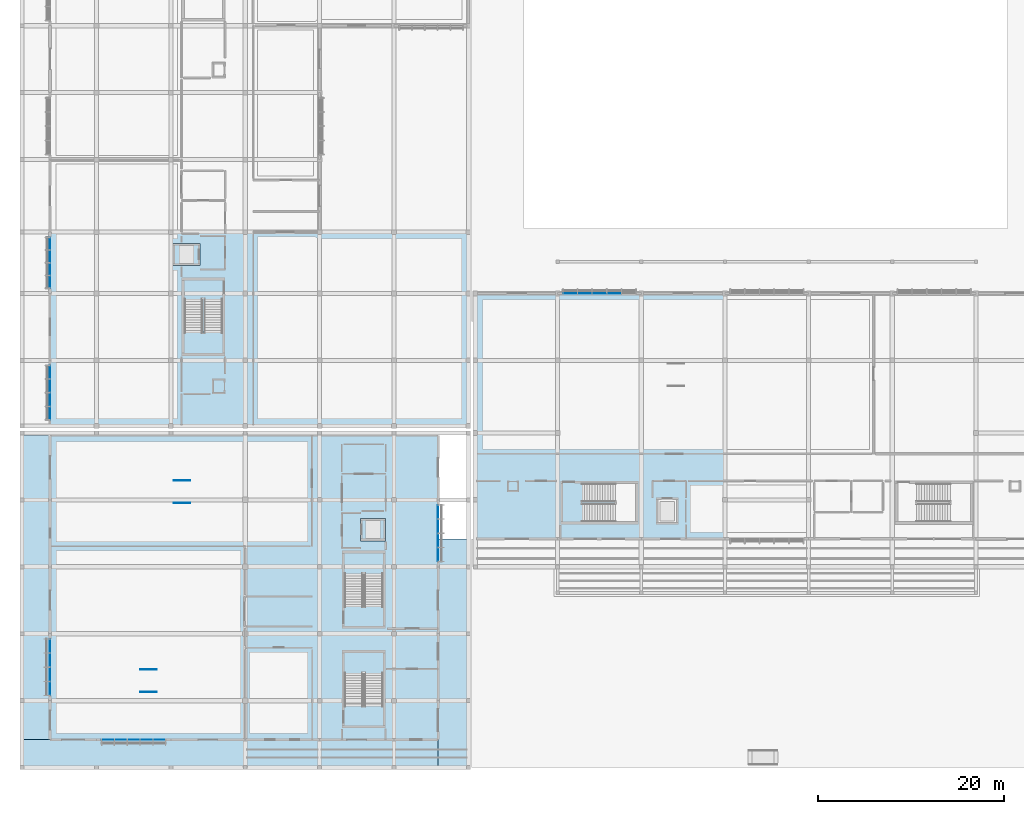
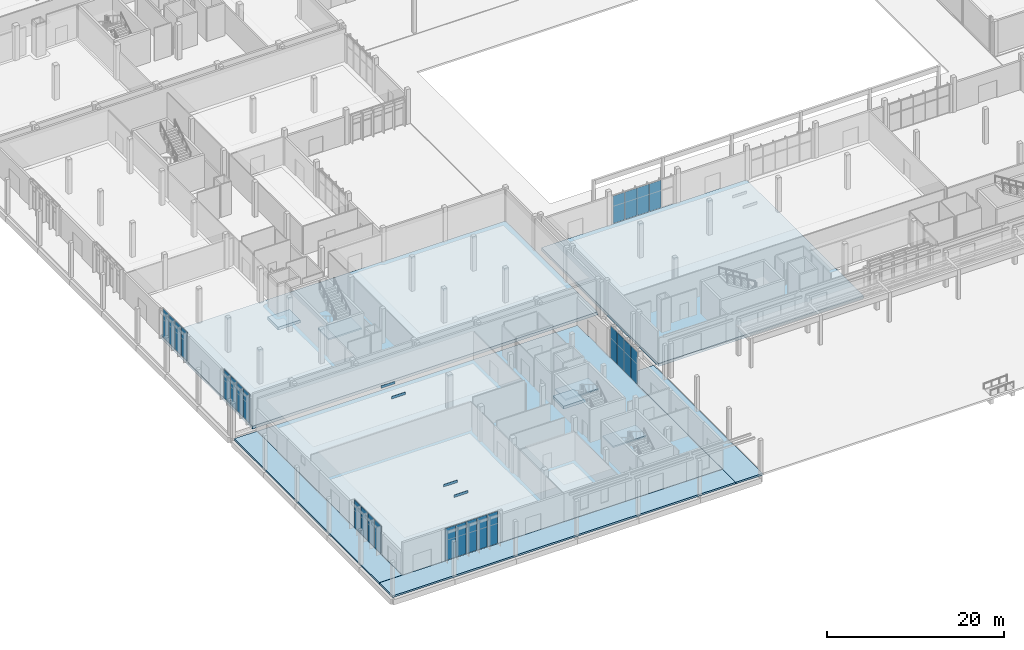
# One storey, part 106 of 151: 29 plates, 11 slabs, 9 elements without a shape of their own.
"""IFC4 building model written with IfcOpenShell, lengths in metres."""

from ifc_helpers import new_model, si_unit, direction, frame, origin, origin_2d, place, context, subcontext, project, spatial, polyline, rectangle, outline, extrude, material, layer, layer_set, type_object, element, aggregate, save


model = new_model("IFC4")

# Units and contexts
model_context = context("Model", 3, precision=1e-05, world=origin(), true_north=direction((0.0, 1.0)))
body_context = subcontext(model_context, "Body", "Model", "MODEL_VIEW")
ifc_project = project(units=[si_unit("LENGTHUNIT", "METRE"), si_unit("AREAUNIT", "SQUARE_METRE"), si_unit("VOLUMEUNIT", "CUBIC_METRE"), si_unit("PLANEANGLEUNIT", "RADIAN"), si_unit("MASSUNIT", "GRAM", prefix="KILO")], contexts=[model_context])

# Site, building, storey
site_placement = place(None, origin())
site = spatial("IfcSite", under=ifc_project, at=site_placement, CompositionType="ELEMENT")
building_placement = place(site_placement, origin())
building = spatial("IfcBuilding", under=site, at=building_placement, Name="Chiffa Square Polytechnic", CompositionType="ELEMENT")
storey_placement = place(building_placement, origin())
storey = spatial("IfcBuildingStorey", under=building, at=storey_placement, Name="L00", CompositionType="ELEMENT", Elevation=0.0)

# Curtain wall, plates
ifc_material_1 = material(Name="Aluminium EN AW-6060 T66 and glulam shading", Category="wood")
curtain_wall_type_1 = type_object("IfcCurtainWallType", Name="CW-VERT-450X440", PredefinedType="USERDEFINED", material=ifc_material_1)
curtain_wall_1_placement = place(storey_placement, origin())
curtain_wall_1 = element("IfcCurtainWall", 1, at=curtain_wall_1_placement, inside=storey, type_object=curtain_wall_type_1, Name="Curtain wall CW-V3-L00-152", ObjectType="CURTAIN WALL", PredefinedType="USERDEFINED")
ifc_material_2 = material(Name="Double glazing", Category="glass")
ifc_layer_1 = layer(ifc_material_2, 0.035888671875, Name="Double glazing")
ifc_layer_set_1 = layer_set([ifc_layer_1], Name="Double glazing")
plate_type_1 = type_object("IfcPlateType", Name="CWP-GLZ-120X145", PredefinedType="CURTAIN_PANEL", material=ifc_layer_set_1)
plate_1_placement = place(storey_placement, frame((3.0, 13.083984375, 0.04931640625), z_axis=(0.0, 0.0, 1.0), x_axis=(0.0, -1.0, 0.0)))
plate_1 = element("IfcPlate", 2, at=plate_1_placement, type_object=plate_type_1, Name="Glazed curtain panel CW-V3-L00-152-PN01", PredefinedType="CURTAIN_PANEL", context=body_context, shape_type="SweptSolid", body=[
    extrude(rectangle(XDim=1.4560546875, YDim=0.035888671875, at=origin_2d()), origin(), (0.0, 0.0, 1.0), 3.844970703125),
])
plate_2_placement = place(storey_placement, frame((3.0, 11.56494140625, 0.04931640625), z_axis=(0.0, 0.0, 1.0), x_axis=(0.0, -1.0, 0.0)))
plate_2 = element("IfcPlate", 3, at=plate_2_placement, type_object=plate_type_1, Name="Glazed curtain panel CW-V3-L00-152-PN02", PredefinedType="CURTAIN_PANEL", context=body_context, shape_type="SweptSolid", body=[
    extrude(rectangle(XDim=1.47802734375, YDim=0.035888671875, at=origin_2d()), origin(), (0.0, 0.0, 1.0), 3.844970703125),
])
plate_3_placement = place(storey_placement, frame((3.0, 10.034912109375, 0.04931640625), z_axis=(0.0, 0.0, 1.0), x_axis=(0.0, -1.0, 0.0)))
plate_3 = element("IfcPlate", 4, at=plate_3_placement, type_object=plate_type_1, Name="Glazed curtain panel CW-V3-L00-152-PN03", PredefinedType="CURTAIN_PANEL", context=body_context, shape_type="SweptSolid", body=[
    extrude(rectangle(XDim=1.47802734375, YDim=0.035888671875, at=origin_2d()), origin(), (0.0, 0.0, 1.0), 3.844970703125),
])
plate_4_placement = place(storey_placement, frame((3.0, 8.51611328125, 0.04931640625), z_axis=(0.0, 0.0, 1.0), x_axis=(0.0, -1.0, 0.0)))
plate_4 = element("IfcPlate", 5, at=plate_4_placement, type_object=plate_type_1, Name="Glazed curtain panel CW-V3-L00-152-PN04", PredefinedType="CURTAIN_PANEL", context=body_context, shape_type="SweptSolid", body=[
    extrude(rectangle(XDim=1.4560546875, YDim=0.035888671875, at=origin_2d()), origin(), (0.0, 0.0, 1.0), 3.844970703125),
])
aggregate(curtain_wall_1, [plate_1, plate_2, plate_3, plate_4])

curtain_wall_type_2 = type_object("IfcCurtainWallType", Name="CW-VERT-480X380", PredefinedType="USERDEFINED", material=ifc_material_1)
curtain_wall_2_placement = place(storey_placement, origin())
curtain_wall_2 = element("IfcCurtainWall", 6, at=curtain_wall_2_placement, inside=storey, type_object=curtain_wall_type_2, Name="Curtain wall CW-V6-L00-254", ObjectType="CURTAIN WALL", PredefinedType="USERDEFINED")
ifc_layer_2 = layer(ifc_material_2, 0.0400390625, Name="Double glazing")
ifc_layer_set_2 = layer_set([ifc_layer_2], Name="Double glazing")
plate_type_2 = type_object("IfcPlateType", Name="CWP-GLZ-144X134", PredefinedType="CURTAIN_PANEL", material=ifc_layer_set_2)
plate_5_placement = place(storey_placement, frame((3.0, 42.514892578125, 0.05029296875), z_axis=(0.0, 0.0, 1.0), x_axis=(0.0, -1.0, 0.0)))
plate_5 = element("IfcPlate", 7, at=plate_5_placement, type_object=plate_type_2, Name="Glazed curtain panel CW-V6-L00-254-PN01", PredefinedType="CURTAIN_PANEL", context=body_context, shape_type="SweptSolid", body=[
    extrude(rectangle(XDim=1.39306640625, YDim=0.0400390625, at=origin_2d()), origin(), (0.0, 0.0, 1.0), 3.965087890625),
])
plate_6_placement = place(storey_placement, frame((3.0, 41.05908203125, 0.05029296875), z_axis=(0.0, 0.0, 1.0), x_axis=(0.0, -1.0, 0.0)))
plate_6 = element("IfcPlate", 8, at=plate_6_placement, type_object=plate_type_2, Name="Glazed curtain panel CW-V6-L00-254-PN02", PredefinedType="CURTAIN_PANEL", context=body_context, shape_type="SweptSolid", body=[
    extrude(rectangle(XDim=1.4150390625, YDim=0.0400390625, at=origin_2d()), origin(), (0.0, 0.0, 1.0), 3.965087890625),
])
plate_7_placement = place(storey_placement, frame((3.0, 39.591064453125, 0.05029296875), z_axis=(0.0, 0.0, 1.0), x_axis=(0.0, -1.0, 0.0)))
plate_7 = element("IfcPlate", 9, at=plate_7_placement, type_object=plate_type_2, Name="Glazed curtain panel CW-V6-L00-254-PN03", PredefinedType="CURTAIN_PANEL", context=body_context, shape_type="SweptSolid", body=[
    extrude(rectangle(XDim=1.4150390625, YDim=0.0400390625, at=origin_2d()), origin(), (0.0, 0.0, 1.0), 3.965087890625),
])
plate_8_placement = place(storey_placement, frame((3.0, 38.135009765625, 0.05029296875), z_axis=(0.0, 0.0, 1.0), x_axis=(0.0, -1.0, 0.0)))
plate_8 = element("IfcPlate", 10, at=plate_8_placement, type_object=plate_type_2, Name="Glazed curtain panel CW-V6-L00-254-PN04", PredefinedType="CURTAIN_PANEL", context=body_context, shape_type="SweptSolid", body=[
    extrude(rectangle(XDim=1.39306640625, YDim=0.0400390625, at=origin_2d()), origin(), (0.0, 0.0, 1.0), 3.965087890625),
])
aggregate(curtain_wall_2, [plate_5, plate_6, plate_7, plate_8])

curtain_wall_type_3 = type_object("IfcCurtainWallType", Name="CW-VERT-360X380", PredefinedType="USERDEFINED", material=ifc_material_1)
curtain_wall_3_placement = place(storey_placement, origin())
curtain_wall_3 = element("IfcCurtainWall", 11, at=curtain_wall_3_placement, inside=storey, type_object=curtain_wall_type_3, Name="Curtain wall CW-V6-L00-253", ObjectType="CURTAIN WALL", PredefinedType="USERDEFINED")
ifc_layer_3 = layer(ifc_material_2, 0.0380859375, Name="Double glazing")
ifc_layer_set_3 = layer_set([ifc_layer_3], Name="Double glazing")
plate_type_3 = type_object("IfcPlateType", Name="CWP-GLZ-146X138", PredefinedType="CURTAIN_PANEL", material=ifc_layer_set_3)
plate_9_placement = place(storey_placement, frame((3.0, 56.35888671875, 0.05029296875), z_axis=(0.0, 0.0, 1.0), x_axis=(0.0, -1.0, 0.0)))
plate_9 = element("IfcPlate", 12, at=plate_9_placement, type_object=plate_type_3, Name="Glazed curtain panel CW-V6-L00-253-PN01", PredefinedType="CURTAIN_PANEL", context=body_context, shape_type="SweptSolid", body=[
    extrude(rectangle(XDim=1.305908203125, YDim=0.0380859375, at=origin_2d()), origin(), (0.0, 0.0, 1.0), 3.965087890625),
])
plate_10_placement = place(storey_placement, frame((3.0, 54.989990234375, 0.05029296875), z_axis=(0.0, 0.0, 1.0), x_axis=(0.0, -1.0, 0.0)))
plate_10 = element("IfcPlate", 13, at=plate_10_placement, type_object=plate_type_3, Name="Glazed curtain panel CW-V6-L00-253-PN02", PredefinedType="CURTAIN_PANEL", context=body_context, shape_type="SweptSolid", body=[
    extrude(rectangle(XDim=1.327880859375, YDim=0.0380859375, at=origin_2d()), origin(), (0.0, 0.0, 1.0), 3.965087890625),
])
plate_11_placement = place(storey_placement, frame((3.0, 53.610107421875, 0.05029296875), z_axis=(0.0, 0.0, 1.0), x_axis=(0.0, -1.0, 0.0)))
plate_11 = element("IfcPlate", 14, at=plate_11_placement, type_object=plate_type_3, Name="Glazed curtain panel CW-V6-L00-253-PN03", PredefinedType="CURTAIN_PANEL", context=body_context, shape_type="SweptSolid", body=[
    extrude(rectangle(XDim=1.327880859375, YDim=0.0380859375, at=origin_2d()), origin(), (0.0, 0.0, 1.0), 3.965087890625),
])
plate_12_placement = place(storey_placement, frame((3.0, 52.240966796875, 0.05029296875), z_axis=(0.0, 0.0, 1.0), x_axis=(0.0, -1.0, 0.0)))
plate_12 = element("IfcPlate", 15, at=plate_12_placement, type_object=plate_type_3, Name="Glazed curtain panel CW-V6-L00-253-PN04", PredefinedType="CURTAIN_PANEL", context=body_context, shape_type="SweptSolid", body=[
    extrude(rectangle(XDim=1.305908203125, YDim=0.0380859375, at=origin_2d()), origin(), (0.0, 0.0, 1.0), 3.965087890625),
])
aggregate(curtain_wall_3, [plate_9, plate_10, plate_11, plate_12])

curtain_wall_4_placement = place(storey_placement, origin())
curtain_wall_4 = element("IfcCurtainWall", 16, at=curtain_wall_4_placement, inside=storey, type_object=curtain_wall_type_2, Name="Curtain wall CW-V4-L00-182", ObjectType="CURTAIN WALL", PredefinedType="USERDEFINED")
ifc_layer_4 = layer(ifc_material_2, 0.0380859375, Name="Double glazing")
ifc_layer_set_4 = layer_set([ifc_layer_4], Name="Double glazing")
plate_type_4 = type_object("IfcPlateType", Name="CWP-GLZ-148X142", PredefinedType="CURTAIN_PANEL", material=ifc_layer_set_4)
plate_13_placement = place(storey_placement, frame((63.68408203125, 51.0, 0.04931640625), z_axis=(0.0, 0.0, 1.0), x_axis=(-1.0, 0.0, 0.0)))
plate_13 = element("IfcPlate", 17, at=plate_13_placement, type_object=plate_type_4, Name="Glazed curtain panel CW-V4-L00-182-PN02", PredefinedType="CURTAIN_PANEL", context=body_context, shape_type="SweptSolid", body=[
    extrude(rectangle(XDim=1.531982421875, YDim=0.0380859375, at=origin_2d()), origin(), (0.0, 0.0, 1.0), 3.804931640625),
])
plate_14_placement = place(storey_placement, frame((62.10009765625, 51.0, 0.04931640625), z_axis=(0.0, 0.0, 1.0), x_axis=(-1.0, 0.0, 0.0)))
plate_14 = element("IfcPlate", 18, at=plate_14_placement, type_object=plate_type_4, Name="Glazed curtain panel CW-V4-L00-182-PN03", PredefinedType="CURTAIN_PANEL", context=body_context, shape_type="SweptSolid", body=[
    extrude(rectangle(XDim=1.531982421875, YDim=0.0380859375, at=origin_2d()), origin(), (0.0, 0.0, 1.0), 3.804931640625),
])
plate_15_placement = place(storey_placement, frame((60.51611328125, 51.0, 0.04931640625), z_axis=(0.0, 0.0, 1.0), x_axis=(-1.0, 0.0, 0.0)))
plate_15 = element("IfcPlate", 19, at=plate_15_placement, type_object=plate_type_4, Name="Glazed curtain panel CW-V4-L00-182-PN04", PredefinedType="CURTAIN_PANEL", context=body_context, shape_type="SweptSolid", body=[
    extrude(rectangle(XDim=1.531982421875, YDim=0.0380859375, at=origin_2d()), origin(), (0.0, 0.0, 1.0), 3.804931640625),
])
plate_16_placement = place(storey_placement, frame((58.943115234375, 51.0, 0.04931640625), z_axis=(0.0, 0.0, 1.0), x_axis=(-1.0, 0.0, 0.0)))
plate_16 = element("IfcPlate", 20, at=plate_16_placement, type_object=plate_type_4, Name="Glazed curtain panel CW-V4-L00-182-PN05", PredefinedType="CURTAIN_PANEL", context=body_context, shape_type="SweptSolid", body=[
    extrude(rectangle(XDim=1.510009765625, YDim=0.0380859375, at=origin_2d()), origin(), (0.0, 0.0, 1.0), 3.804931640625),
])
aggregate(curtain_wall_4, [plate_13, plate_14, plate_15, plate_16])

curtain_wall_type_4 = type_object("IfcCurtainWallType", Name="CW-VERT-540X440", PredefinedType="USERDEFINED", material=ifc_material_1)
curtain_wall_5_placement = place(storey_placement, origin())
curtain_wall_5 = element("IfcCurtainWall", 21, at=curtain_wall_5_placement, inside=storey, type_object=curtain_wall_type_4, Name="Curtain wall CW-V3-L00-151", ObjectType="CURTAIN WALL", PredefinedType="USERDEFINED")
ifc_layer_5 = layer(ifc_material_2, 0.035888671875, Name="Double glazing")
ifc_layer_set_5 = layer_set([ifc_layer_5], Name="Double glazing")
plate_type_5 = type_object("IfcPlateType", Name="CWP-GLZ-150X125", PredefinedType="CURTAIN_PANEL", material=ifc_layer_set_5)
plate_17_placement = place(storey_placement, frame((44.75, 22.916015625, 0.050048828125), z_axis=(0.0, 0.0, 1.0), x_axis=(0.0, 1.0, 0.0)))
plate_17 = element("IfcPlate", 22, at=plate_17_placement, type_object=plate_type_5, Name="Glazed curtain panel CW-V3-L00-151-PN01", PredefinedType="CURTAIN_PANEL", context=body_context, shape_type="SweptSolid", body=[
    extrude(rectangle(XDim=1.4560546875, YDim=0.035888671875, at=origin_2d()), origin(), (0.0, 0.0, 1.0), 4.419921875),
])
plate_18_placement = place(storey_placement, frame((44.75, 24.43505859375, 0.050048828125), z_axis=(0.0, 0.0, 1.0), x_axis=(0.0, 1.0, 0.0)))
plate_18 = element("IfcPlate", 23, at=plate_18_placement, type_object=plate_type_5, Name="Glazed curtain panel CW-V3-L00-151-PN02", PredefinedType="CURTAIN_PANEL", context=body_context, shape_type="SweptSolid", body=[
    extrude(rectangle(XDim=1.47802734375, YDim=0.035888671875, at=origin_2d()), origin(), (0.0, 0.0, 1.0), 4.419921875),
])
plate_19_placement = place(storey_placement, frame((44.75, 25.965087890625, 0.050048828125), z_axis=(0.0, 0.0, 1.0), x_axis=(0.0, 1.0, 0.0)))
plate_19 = element("IfcPlate", 24, at=plate_19_placement, type_object=plate_type_5, Name="Glazed curtain panel CW-V3-L00-151-PN03", PredefinedType="CURTAIN_PANEL", context=body_context, shape_type="SweptSolid", body=[
    extrude(rectangle(XDim=1.47802734375, YDim=0.035888671875, at=origin_2d()), origin(), (0.0, 0.0, 1.0), 4.419921875),
])
plate_20_placement = place(storey_placement, frame((44.75, 27.48388671875, 0.050048828125), z_axis=(0.0, 0.0, 1.0), x_axis=(0.0, 1.0, 0.0)))
plate_20 = element("IfcPlate", 25, at=plate_20_placement, type_object=plate_type_5, Name="Glazed curtain panel CW-V3-L00-151-PN04", PredefinedType="CURTAIN_PANEL", context=body_context, shape_type="SweptSolid", body=[
    extrude(rectangle(XDim=1.4560546875, YDim=0.035888671875, at=origin_2d()), origin(), (0.0, 0.0, 1.0), 4.419921875),
])
aggregate(curtain_wall_5, [plate_17, plate_18, plate_19, plate_20])

curtain_wall_6_placement = place(storey_placement, origin())
curtain_wall_6 = element("IfcCurtainWall", 26, at=curtain_wall_6_placement, inside=storey, type_object=curtain_wall_type_2, Name="Curtain wall CW-V3-L00-150", ObjectType="CURTAIN WALL", PredefinedType="USERDEFINED")
ifc_layer_6 = layer(ifc_material_2, 0.035888671875, Name="Double glazing")
ifc_layer_set_6 = layer_set([ifc_layer_6], Name="Double glazing")
plate_type_6 = type_object("IfcPlateType", Name="CWP-GLZ-150X145", PredefinedType="CURTAIN_PANEL", material=ifc_layer_set_6)
plate_21_placement = place(storey_placement, frame((9.242919921875, 3.0, 0.050048828125), z_axis=(0.0, 0.0, 1.0), x_axis=(1.0, 0.0, 0.0)))
plate_21 = element("IfcPlate", 27, at=plate_21_placement, type_object=plate_type_6, Name="Glazed curtain panel CW-V3-L00-150-PN01", PredefinedType="CURTAIN_PANEL", context=body_context, shape_type="SweptSolid", body=[
    extrude(rectangle(XDim=1.31005859375, YDim=0.035888671875, at=origin_2d()), origin(), (0.0, 0.0, 1.0), 4.419921875),
])
plate_22_placement = place(storey_placement, frame((10.615966796875, 3.0, 0.050048828125), z_axis=(0.0, 0.0, 1.0), x_axis=(1.0, 0.0, 0.0)))
plate_22 = element("IfcPlate", 28, at=plate_22_placement, type_object=plate_type_6, Name="Glazed curtain panel CW-V3-L00-150-PN02", PredefinedType="CURTAIN_PANEL", context=body_context, shape_type="SweptSolid", body=[
    extrude(rectangle(XDim=1.33203125, YDim=0.035888671875, at=origin_2d()), origin(), (0.0, 0.0, 1.0), 4.419921875),
])
plate_23_placement = place(storey_placement, frame((12.0, 3.0, 0.050048828125), z_axis=(0.0, 0.0, 1.0), x_axis=(1.0, 0.0, 0.0)))
plate_23 = element("IfcPlate", 29, at=plate_23_placement, type_object=plate_type_6, Name="Glazed curtain panel CW-V3-L00-150-PN03", PredefinedType="CURTAIN_PANEL", context=body_context, shape_type="SweptSolid", body=[
    extrude(rectangle(XDim=1.33203125, YDim=0.035888671875, at=origin_2d()), origin(), (0.0, 0.0, 1.0), 4.419921875),
])
plate_24_placement = place(storey_placement, frame((13.384033203125, 3.0, 0.050048828125), z_axis=(0.0, 0.0, 1.0), x_axis=(1.0, 0.0, 0.0)))
plate_24 = element("IfcPlate", 30, at=plate_24_placement, type_object=plate_type_6, Name="Glazed curtain panel CW-V3-L00-150-PN04", PredefinedType="CURTAIN_PANEL", context=body_context, shape_type="SweptSolid", body=[
    extrude(rectangle(XDim=1.33203125, YDim=0.035888671875, at=origin_2d()), origin(), (0.0, 0.0, 1.0), 4.419921875),
])
plate_25_placement = place(storey_placement, frame((14.757080078125, 3.0, 0.050048828125), z_axis=(0.0, 0.0, 1.0), x_axis=(1.0, 0.0, 0.0)))
plate_25 = element("IfcPlate", 31, at=plate_25_placement, type_object=plate_type_6, Name="Glazed curtain panel CW-V3-L00-150-PN05", PredefinedType="CURTAIN_PANEL", context=body_context, shape_type="SweptSolid", body=[
    extrude(rectangle(XDim=1.31005859375, YDim=0.035888671875, at=origin_2d()), origin(), (0.0, 0.0, 1.0), 4.419921875),
])
aggregate(curtain_wall_6, [plate_21, plate_22, plate_23, plate_24, plate_25])

# Plates
ifc_material_3 = material(Name="Glulam GL28h", Category="wood")
ifc_layer_7 = layer(ifc_material_3, 0.320068359375, Name="Glulam GL28h")
ifc_layer_set_7 = layer_set([ifc_layer_7], Name="Glulam GL28h")
plate_type_7 = type_object("IfcPlateType", Name="PLT-BAFFLE-1800", PredefinedType="USERDEFINED", material=ifc_layer_set_7)
for number, where, z_axis, x_axis, name in (
    (32, (13.610107421875, 8.132080078125, 4.2021484375), (0.0, 0.0, 1.0), (1.0, 0.0, 0.0), "Acoustic timber ceiling baffle AB-V3-L00-001"),
    (33, (13.610107421875, 10.531982421875, 4.2021484375), (0.0, 0.0, 1.0), (1.0, 0.0, 0.0), "Acoustic timber ceiling baffle AB-V3-L00-002"),
    (34, (17.2099609375, 28.465087890625, 4.2021484375), (0.0, 0.0, 1.0), (1.0, 0.0, 0.0), "Acoustic timber ceiling baffle AB-V3-L00-003"),
    (35, (17.2099609375, 30.864990234375, 4.2021484375), (0.0, 0.0, 1.0), (1.0, 0.0, 0.0), "Acoustic timber ceiling baffle AB-V3-L00-004"),
):
    element("IfcPlate", number, at=place(storey_placement, frame(where, z_axis=z_axis, x_axis=x_axis)), inside=storey, type_object=plate_type_7, Name=name, ObjectType="ACOUSTIC BAFFLE", PredefinedType="USERDEFINED", context=body_context, shape_type="SweptSolid", body=[
        extrude(rectangle(XDim=1.800048828125, YDim=0.050048828125, at=origin_2d()), origin(), (0.0, 0.0, 1.0), 0.320068359375),
    ])

# Slabs
ifc_material_4 = material(Name="Limestone paving on compacted sub-base", Category="masonry")
ifc_layer_8 = layer(ifc_material_4, 0.239990234375, Name="Limestone paving on compacted sub-base")
ifc_layer_set_8 = layer_set([ifc_layer_8], Name="Limestone paving on compacted sub-base")
slab_type_1 = type_object("IfcSlabType", Name="SLB-APRON-BASE-240", PredefinedType="FLOOR", material=ifc_layer_set_8)
slab_1_placement = place(storey_placement, frame((0.0, 0.0, -0.239990234375)))
element("IfcSlab", 36, at=slab_1_placement, inside=storey, type_object=slab_type_1, Name="Chiffa Civic Square stone colonnade plaza SLB-APRON-SQUARE-1", PredefinedType="FLOOR", context=body_context, shape_type="SweptSolid", body=[
    extrude(outline(polyline([(48.25, 0.0), (44.75, 0.0), (44.75, 2.985107421875), (44.760986328125, 2.989013671875), (44.764892578125, 3.0), (44.764892578125, 24.60009765625), (48.25, 24.60009765625), (48.25, 0.0)])), origin(), (0.0, 0.0, 1.0), 0.239990234375),
])
slab_2_placement = place(storey_placement, frame((0.0, 0.0, -0.239990234375)))
element("IfcSlab", 37, at=slab_2_placement, inside=storey, type_object=slab_type_1, Name="Exterior colonnade and yard apron SLB-APRON-V3-S", PredefinedType="FLOOR", context=body_context, shape_type="SweptSolid", body=[
    extrude(outline(polyline([(2.988037109375, 3.0), (3.0, 2.988037109375), (44.738037109375, 2.988037109375), (44.738037109375, 0.0), (0.0, 0.0), (0.0, 3.0), (2.988037109375, 3.0)])), origin(), (0.0, 0.0, 1.0), 0.239990234375),
])
slab_3_placement = place(storey_placement, frame((0.0, 0.0, -0.239990234375)))
element("IfcSlab", 38, at=slab_3_placement, inside=storey, type_object=slab_type_1, Name="Exterior colonnade and yard apron SLB-APRON-V3-W", PredefinedType="FLOOR", context=body_context, shape_type="SweptSolid", body=[
    extrude(outline(polyline([(2.988037109375, 35.75), (2.988037109375, 3.011962890625), (0.0, 3.011962890625), (0.0, 35.75), (2.988037109375, 35.75)])), origin(), (0.0, 0.0, 1.0), 0.239990234375),
])
ifc_material_5 = material(Name="Concrete C35/45", Category="concrete")
ifc_layer_9 = layer(ifc_material_5, 0.39990234375, Name="Concrete C35/45")
ifc_layer_set_9 = layer_set([ifc_layer_9], Name="Concrete C35/45")
slab_type_2 = type_object("IfcSlabType", Name="SLB-BASE-400", PredefinedType="BASESLAB", material=ifc_layer_set_9)
slab_4_placement = place(storey_placement, frame((0.0, 0.0, -0.39990234375)))
element("IfcSlab", 39, at=slab_4_placement, inside=storey, type_object=slab_type_2, Name="V3 L00 structural slab SLB-V3-L00-011", PredefinedType="BASESLAB", context=body_context, shape_type="SweptSolid", body=[
    extrude(outline(polyline([(3.0, 35.75), (44.75, 35.75), (44.75, 3.0), (3.0, 3.0), (3.0, 35.75)])), origin(), (0.0, 0.0, 1.0), 0.39990234375),
])
slab_5_placement = place(storey_placement, frame((0.0, 0.0, -0.39990234375)))
element("IfcSlab", 40, at=slab_5_placement, inside=storey, type_object=slab_type_2, Name="V4 L00 structural slab SLB-V4-L00-014", PredefinedType="BASESLAB", context=body_context, shape_type="SweptSolid", body=[
    extrude(outline(polyline([(48.85009765625, 24.60009765625), (48.85009765625, 51.0), (75.60009765625, 51.0), (75.60009765625, 24.60009765625), (48.85009765625, 24.60009765625)])), origin(), (0.0, 0.0, 1.0), 0.39990234375),
])
slab_6_placement = place(storey_placement, frame((0.0, 0.0, -0.39990234375)))
element("IfcSlab", 41, at=slab_6_placement, inside=storey, type_object=slab_type_2, Name="V6 L00 structural slab SLB-V6-L00-047", PredefinedType="BASESLAB", context=body_context, shape_type="SweptSolid", body=[
    extrude(outline(polyline([(48.0, 36.85009765625), (3.0, 36.85009765625), (3.0, 57.60009765625), (32.0, 57.60009765625), (48.0, 57.60009765625), (48.0, 36.85009765625)])), origin(), (0.0, 0.0, 1.0), 0.39990234375),
])
slab_7_placement = place(storey_placement, frame((0.0, 0.0, -1.800048828125)))
element("IfcSlab", 42, at=slab_7_placement, inside=storey, type_object=slab_type_2, Name="Lift pit base slab LP-V3", PredefinedType="BASESLAB", context=body_context, shape_type="SweptSolid", body=[
    extrude(outline(polyline([(36.39990234375, 24.39990234375), (39.10009765625, 24.39990234375), (39.10009765625, 26.800048828125), (36.39990234375, 26.800048828125), (36.39990234375, 24.39990234375)])), origin(), (0.0, 0.0, 1.0), 0.400146484375),
])
slab_8_placement = place(storey_placement, frame((0.0, 0.0, -1.800048828125)))
element("IfcSlab", 43, at=slab_8_placement, inside=storey, type_object=slab_type_2, Name="Lift pit base slab LP-V6A", PredefinedType="BASESLAB", context=body_context, shape_type="SweptSolid", body=[
    extrude(outline(polyline([(16.25, 54.0), (19.14990234375, 54.0), (19.14990234375, 56.39990234375), (16.25, 56.39990234375), (16.25, 54.0)])), origin(), (0.0, 0.0, 1.0), 0.400146484375),
])

# Stair, slab
stair_type = type_object("IfcStairType", Name="STAIR-DOG-1950", PredefinedType="HALF_TURN_STAIR", material=ifc_material_5)
stair_1_placement = place(storey_placement, origin())
stair_1 = element("IfcStair", 44, at=stair_1_placement, inside=storey, type_object=stair_type, Name="L00 Enclosed exit stair ST-V3A", PredefinedType="HALF_TURN_STAIR")
ifc_layer_10 = layer(ifc_material_5, 0.199951171875, Name="Concrete C35/45")
ifc_layer_set_10 = layer_set([ifc_layer_10], Name="Concrete C35/45")
slab_type_3 = type_object("IfcSlabType", Name="SLB-LND-200", PredefinedType="LANDING", material=ifc_layer_set_10)
slab_9_placement = place(storey_placement, frame((0.0, 0.0, 2.199951171875)))
slab_9 = element("IfcSlab", 45, at=slab_9_placement, type_object=slab_type_3, Name="ST-V3A landing 1", PredefinedType="LANDING", context=body_context, shape_type="SweptSolid", body=[
    extrude(outline(polyline([(38.919921875, 10.070068359375), (34.580078125, 10.070068359375), (34.580078125, 12.469970703125), (38.919921875, 12.469970703125), (38.919921875, 10.070068359375)])), origin(), (0.0, 0.0, 1.0), 0.199951171875),
])
aggregate(stair_1, [slab_9])

stair_2_placement = place(storey_placement, origin())
stair_2 = element("IfcStair", 46, at=stair_2_placement, inside=storey, type_object=stair_type, Name="L00 Enclosed exit stair ST-V3B", PredefinedType="HALF_TURN_STAIR")
slab_10_placement = place(storey_placement, frame((0.0, 0.0, 2.199951171875)))
slab_10 = element("IfcSlab", 47, at=slab_10_placement, type_object=slab_type_3, Name="ST-V3B landing 1", PredefinedType="LANDING", context=body_context, shape_type="SweptSolid", body=[
    extrude(outline(polyline([(38.919921875, 20.77001953125), (34.580078125, 20.77001953125), (34.580078125, 23.169921875), (38.919921875, 23.169921875), (38.919921875, 20.77001953125)])), origin(), (0.0, 0.0, 1.0), 0.199951171875),
])
aggregate(stair_2, [slab_10])

stair_3_placement = place(storey_placement, origin())
stair_3 = element("IfcStair", 48, at=stair_3_placement, inside=storey, type_object=stair_type, Name="L00 Enclosed exit stair ST-V6A", PredefinedType="HALF_TURN_STAIR")
slab_11_placement = place(storey_placement, frame((0.0, 0.0, 2.199951171875)))
slab_11 = element("IfcSlab", 49, at=slab_11_placement, type_object=slab_type_3, Name="ST-V6A landing 1", PredefinedType="LANDING", context=body_context, shape_type="SweptSolid", body=[
    extrude(outline(polyline([(17.330078125, 46.8798828125), (21.669921875, 46.8798828125), (21.669921875, 44.47998046875), (17.330078125, 44.47998046875), (17.330078125, 46.8798828125)])), origin(), (0.0, 0.0, 1.0), 0.199951171875),
])
aggregate(stair_3, [slab_11])

save(model, "model.ifc")
